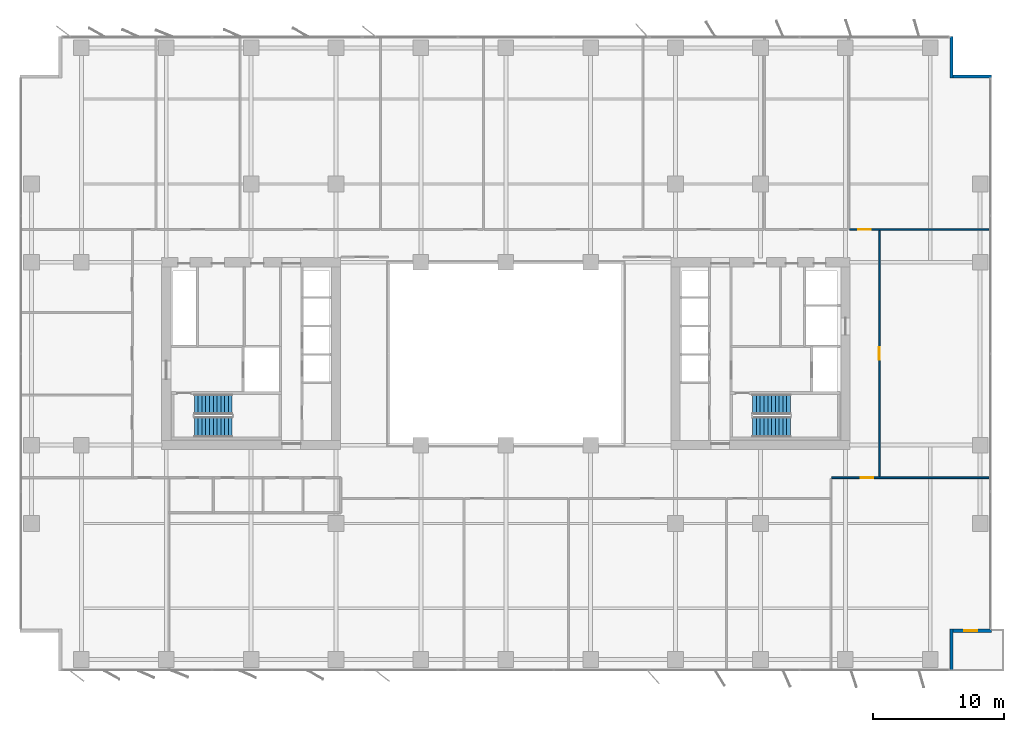
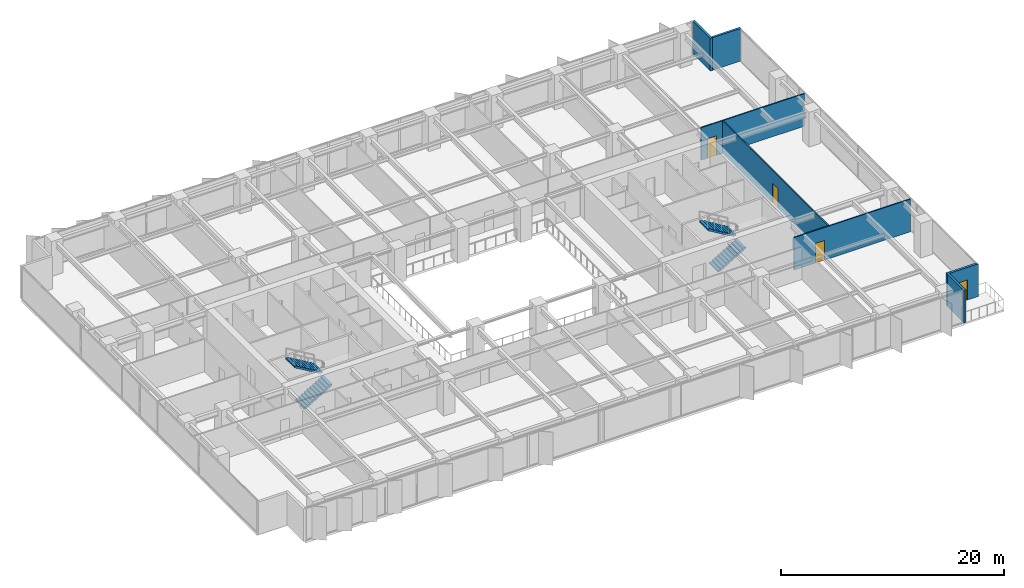
# One storey, part 16 of 20: 7 walls, 4 doors, 4 stair flights, 4 openings, 2 elements without a shape of their own.
"""IFC4 building model written with IfcOpenShell, lengths in metres."""

from ifc_helpers import new_model, si_unit, direction, frame, frame_2d, origin, place, context, subcontext, project, spatial, polyline, rectangle, outline, extrude, material, layer, layer_set, type_object, element, fill, aggregate, save


model = new_model("IFC4")

# Units and contexts
model_context = context("Model", 3, precision=1e-05, world=origin(), true_north=direction((0.0, 1.0)))
body_context = subcontext(model_context, "Body", "Model", "MODEL_VIEW")
ifc_project = project(units=[si_unit("LENGTHUNIT", "METRE"), si_unit("AREAUNIT", "SQUARE_METRE"), si_unit("VOLUMEUNIT", "CUBIC_METRE"), si_unit("PLANEANGLEUNIT", "RADIAN"), si_unit("MASSUNIT", "GRAM", prefix="KILO")], contexts=[model_context])

# Site, building, storey
site_placement = place(None, origin())
site = spatial("IfcSite", under=ifc_project, at=site_placement, CompositionType="ELEMENT")
building_placement = place(site_placement, origin())
building = spatial("IfcBuilding", under=site, at=building_placement, Name="Putna Gate Headquarters", CompositionType="ELEMENT")
storey_placement = place(building_placement, frame((0.0, 0.0, 116.39990234375)))
storey = spatial("IfcBuildingStorey", under=building, at=storey_placement, Name="L28", CompositionType="ELEMENT", Elevation=116.39990234375)

# Walls
ifc_material_1 = material(Name="Precast concrete C40/50", Category="concrete")
ifc_layer_1 = layer(ifc_material_1, 0.239990234375)
ifc_layer_set_1 = layer_set([ifc_layer_1], Name="Precast concrete C40/50")
wall_type_1 = type_object("IfcWallType", Name="WALL-EXT-TERR-240", PredefinedType="STANDARD", material=ifc_layer_set_1)
for number, where, z_axis, x_axis, name in (
    (1, (73.1201171875, 50.300048828125, 0.0), (0.0, 0.0, 1.0), (0.0, -1.0, 0.0), "L28 Corner Notch Return Wall NE-V"),
    (2, (73.0, 47.219970703125, 0.0), (0.0, 0.0, 1.0), (1.0, 0.0, 0.0), "L28 Corner Notch Return Wall NE-H"),
    (3, (73.1201171875, 4.89990234375, 0.0), (0.0, 0.0, 1.0), (0.0, -1.0, 0.0), "L28 Corner Notch Return Wall SE-V"),
):
    element("IfcWall", number, at=place(storey_placement, frame(where, z_axis=z_axis, x_axis=x_axis)), inside=storey, type_object=wall_type_1, Name=name, PredefinedType="STANDARD", context=body_context, shape_type="SweptSolid", body=[
        extrude(rectangle(XDim=3.199951171875, YDim=0.239990234375, at=frame_2d((1.60009765625, 0.0))), origin(), (0.0, 0.0, 1.0), 3.565185546875),
    ])

# Wall, opening, door
wall_1_placement = place(storey_placement, frame((76.199951171875, 4.780029296875, 0.0), z_axis=(0.0, 0.0, 1.0), x_axis=(-1.0, 0.0, 0.0)))
wall_1 = element("IfcWall", 4, at=wall_1_placement, inside=storey, type_object=wall_type_1, Name="L28 Corner Notch Return Wall SE-H", PredefinedType="STANDARD", context=body_context, shape_type="SweptSolid", body=[
    extrude(rectangle(XDim=3.199951171875, YDim=0.239990234375, at=frame_2d((1.60009765625, 0.0))), origin(), (0.0, 0.0, 1.0), 3.565185546875),
])
opening_1_placement = place(wall_1_placement, frame((1.10009765625, 0.0, 0.0)))
opening_1 = element("IfcOpeningElement", 5, at=opening_1_placement, cuts=wall_1, Name="Opening TRD-1", PredefinedType="OPENING", context=body_context, shape_type="SweptSolid", body=[
    extrude(rectangle(XDim=1.0, YDim=2.199951171875, at=frame_2d((0.5, 1.10009765625))), frame((0.0, 0.1298828125, 0.0), z_axis=(0.0, -1.0, 0.0), x_axis=(1.0, 0.0, 0.0)), (0.0, 0.0, 1.0), 0.260009765625),
])
ifc_material_2 = material(Name="Thermally broken bronze glazed terrace door")
door_type_1 = type_object("IfcDoorType", Name="DOOR-TERR-EXT-1000", OperationType="NOTDEFINED", PredefinedType="DOOR", material=ifc_material_2)
door_1_placement = place(opening_1_placement, origin())
door_1 = element("IfcDoor", 6, at=door_1_placement, inside=storey, type_object=door_type_1, Name="L28 Spiral Sky Terrace Door SE", OperationType="SINGLE_SWING_RIGHT", OverallHeight=2.199951171875, OverallWidth=1.0, PredefinedType="DOOR", context=body_context, shape_type="SweptSolid", body=[
    extrude(rectangle(XDim=1.0, YDim=2.199951171875, at=frame_2d((0.5, 1.10009765625))), frame((0.0, 0.02490234375, 0.0), z_axis=(0.0, -1.0, 0.0), x_axis=(1.0, 0.0, 0.0)), (0.0, 0.0, 1.0), 0.050048828125),
])
fill(opening_1, door_1)

ifc_material_3 = material(Name="Fire-rated gypsum board on metal stud")
ifc_layer_2 = layer(ifc_material_3, 0.1201171875)
ifc_layer_set_2 = layer_set([ifc_layer_2], Name="Fire-rated gypsum board on metal stud")
wall_type_2 = type_object("IfcWallType", Name="WALL-PART-120-RATED", PredefinedType="PARTITIONING", material=ifc_layer_set_2)
wall_2_placement = place(storey_placement, frame((65.322021484375, 35.5, 0.0), z_axis=(0.0, 0.0, 1.0), x_axis=(1.0, 0.0, 0.0)))
wall_2 = element("IfcWall", 7, at=wall_2_placement, inside=storey, type_object=wall_type_2, Name="L28 Interior Wall PART-L28-NB-CW-08", PredefinedType="PARTITIONING", context=body_context, shape_type="SweptSolid", body=[
    extrude(rectangle(XDim=10.697998046875, YDim=0.1201171875, at=frame_2d((5.34912109375, 0.0))), origin(), (0.0, 0.0, 1.0), 3.565185546875),
])
opening_2_placement = place(wall_2_placement, frame((0.6640625, 0.0, 0.0)))
opening_2 = element("IfcOpeningElement", 8, at=opening_2_placement, cuts=wall_2, Name="Opening FD-95", PredefinedType="OPENING", context=body_context, shape_type="SweptSolid", body=[
    extrude(rectangle(XDim=0.949951171875, YDim=2.14990234375, at=frame_2d((0.47509765625, 1.074951171875))), frame((0.0, 0.070068359375, 0.0), z_axis=(0.0, -1.0, 0.0), x_axis=(1.0, 0.0, 0.0)), (0.0, 0.0, 1.0), 0.14013671875),
])
ifc_material_4 = material(Name="Acoustic timber fire door", Category="wood")
door_type_2 = type_object("IfcDoorType", Name="DOOR-FIRE-950", OperationType="NOTDEFINED", PredefinedType="DOOR", material=ifc_material_4)
door_2_placement = place(opening_2_placement, origin())
door_2 = element("IfcDoor", 9, at=door_2_placement, inside=storey, type_object=door_type_2, Name="L28 Quiet Wellness Focus Studio 2 Door", OperationType="SINGLE_SWING_RIGHT", OverallHeight=2.14990234375, OverallWidth=0.949951171875, PredefinedType="DOOR", context=body_context, shape_type="SweptSolid", body=[
    extrude(rectangle(XDim=0.949951171875, YDim=2.14990234375, at=frame_2d((0.47509765625, 1.074951171875))), frame((0.0, 0.02490234375, 0.0), z_axis=(0.0, -1.0, 0.0), x_axis=(1.0, 0.0, 0.0)), (0.0, 0.0, 1.0), 0.050048828125),
])
fill(opening_2, door_2)

wall_3_placement = place(storey_placement, frame((63.954833984375, 16.5, 0.0), z_axis=(0.0, 0.0, 1.0), x_axis=(1.0, 0.0, 0.0)))
wall_3 = element("IfcWall", 10, at=wall_3_placement, inside=storey, type_object=wall_type_2, Name="L28 Interior Wall PART-L28-SB-CW-06", PredefinedType="PARTITIONING", context=body_context, shape_type="SweptSolid", body=[
    extrude(rectangle(XDim=12.065185546875, YDim=0.1201171875, at=frame_2d((6.03271484375, 0.0))), origin(), (0.0, 0.0, 1.0), 3.565185546875),
])
opening_3_placement = place(wall_3_placement, frame((2.215087890625, 0.0, 0.0)))
opening_3 = element("IfcOpeningElement", 11, at=opening_3_placement, cuts=wall_3, Name="Opening FD-95", PredefinedType="OPENING", context=body_context, shape_type="SweptSolid", body=[
    extrude(rectangle(XDim=0.949951171875, YDim=2.14990234375, at=frame_2d((0.47509765625, 1.074951171875))), frame((0.0, 0.070068359375, 0.0), z_axis=(0.0, -1.0, 0.0), x_axis=(1.0, 0.0, 0.0)), (0.0, 0.0, 1.0), 0.14013671875),
])
door_3_placement = place(opening_3_placement, origin())
door_3 = element("IfcDoor", 12, at=door_3_placement, inside=storey, type_object=door_type_2, Name="L28 Cellular Office 2 Door", OperationType="SINGLE_SWING_RIGHT", OverallHeight=2.14990234375, OverallWidth=0.949951171875, PredefinedType="DOOR", context=body_context, shape_type="SweptSolid", body=[
    extrude(rectangle(XDim=0.949951171875, YDim=2.14990234375, at=frame_2d((0.47509765625, 1.074951171875))), frame((0.0, 0.02490234375, 0.0), z_axis=(0.0, -1.0, 0.0), x_axis=(1.0, 0.0, 0.0)), (0.0, 0.0, 1.0), 0.050048828125),
])
fill(opening_3, door_3)

wall_4_placement = place(storey_placement, frame((67.60009765625, 16.5, 0.0), z_axis=(0.0, 0.0, 1.0), x_axis=(0.0, 1.0, 0.0)))
wall_4 = element("IfcWall", 13, at=wall_4_placement, inside=storey, type_object=wall_type_2, Name="L28 Interior Wall PART-L28-EW-CW-1", PredefinedType="PARTITIONING", context=body_context, shape_type="SweptSolid", body=[
    extrude(rectangle(XDim=19.0, YDim=0.1201171875, at=frame_2d((9.5, 0.0))), origin(), (0.0, 0.0, 1.0), 3.565185546875),
])
opening_4_placement = place(wall_4_placement, frame((9.02490234375, 0.0, 0.0)))
opening_4 = element("IfcOpeningElement", 14, at=opening_4_placement, cuts=wall_4, Name="Opening FD-95", PredefinedType="OPENING", context=body_context, shape_type="SweptSolid", body=[
    extrude(rectangle(XDim=0.949951171875, YDim=2.14990234375, at=frame_2d((0.47509765625, 1.074951171875))), frame((0.0, 0.070068359375, 0.0), z_axis=(0.0, -1.0, 0.0), x_axis=(1.0, 0.0, 0.0)), (0.0, 0.0, 1.0), 0.14013671875),
])
door_4_placement = place(opening_4_placement, origin())
door_4 = element("IfcDoor", 15, at=door_4_placement, inside=storey, type_object=door_type_2, Name="L28 East Horizon Conference Room 1 Door", OperationType="SINGLE_SWING_RIGHT", OverallHeight=2.14990234375, OverallWidth=0.949951171875, PredefinedType="DOOR", context=body_context, shape_type="SweptSolid", body=[
    extrude(rectangle(XDim=0.949951171875, YDim=2.14990234375, at=frame_2d((0.47509765625, 1.074951171875))), frame((0.0, 0.02490234375, 0.0), z_axis=(0.0, -1.0, 0.0), x_axis=(1.0, 0.0, 0.0)), (0.0, 0.0, 1.0), 0.050048828125),
])
fill(opening_4, door_4)

# Stair, stair flights
ifc_material_5 = material(Name="Concrete C40/50", Category="concrete")
stair_type_1 = type_object("IfcStairType", Name="STAIR-ST1", PredefinedType="HALF_TURN_STAIR", material=ifc_material_5)
stair_1_placement = place(storey_placement, origin())
stair_1 = element("IfcStair", 16, at=stair_1_placement, inside=storey, type_object=stair_type_1, Name="L28 West Core Exit Stair ST1", PredefinedType="HALF_TURN_STAIR")
stair_flight_type_1 = type_object("IfcStairFlightType", Name="FLIGHT-ST1", PredefinedType="STRAIGHT", material=ifc_material_5)
stair_flight_1_placement = place(storey_placement, frame((15.14990234375, 20.375, 0.0), z_axis=(0.0, 0.0, 1.0), x_axis=(1.0, 0.0, 0.0)))
stair_flight_1 = element("IfcStairFlight", 17, at=stair_flight_1_placement, type_object=stair_flight_type_1, Name="ST1 flight 1", NumberOfRisers=11, NumberOfTreads=10, PredefinedType="STRAIGHT", RiserHeight=0.172727273, TreadLength=0.29, context=body_context, shape_type="SweptSolid", body=[
    extrude(outline(polyline([(0.0, 0.0), (0.0, 0.172607421875), (0.2900390625, 0.172607421875), (0.2900390625, 0.345458984375), (0.580078125, 0.345458984375), (0.580078125, 0.51806640625), (0.8701171875, 0.51806640625), (0.8701171875, 0.69091796875), (1.159912109375, 0.69091796875), (1.159912109375, 0.863525390625), (1.449951171875, 0.863525390625), (1.449951171875, 1.036376953125), (1.739990234375, 1.036376953125), (1.739990234375, 1.208984375), (2.030029296875, 1.208984375), (2.030029296875, 1.3818359375), (2.320068359375, 1.3818359375), (2.320068359375, 1.554443359375), (2.610107421875, 1.554443359375), (2.610107421875, 1.727294921875), (2.89990234375, 1.727294921875), (2.89990234375, 1.89990234375), (2.89990234375, 1.552734375), (0.29296875, 0.0), (0.0, 0.0)])), frame((0.0, 0.77490234375, 0.0), z_axis=(0.0, -1.0, 0.0), x_axis=(1.0, 0.0, 0.0)), (0.0, 0.0, 1.0), 1.550048828125),
])
stair_flight_2_placement = place(storey_placement, frame((18.050048828125, 22.125, 1.900146484375), z_axis=(0.0, 0.0, 1.0), x_axis=(-1.0, 0.0, 0.0)))
stair_flight_2 = element("IfcStairFlight", 18, at=stair_flight_2_placement, type_object=stair_flight_type_1, Name="ST1 flight 2", NumberOfRisers=11, NumberOfTreads=10, PredefinedType="STRAIGHT", RiserHeight=0.172727273, TreadLength=0.29, context=body_context, shape_type="SweptSolid", body=[
    extrude(outline(polyline([(0.0, 0.0), (0.0, 0.172607421875), (0.2900390625, 0.172607421875), (0.2900390625, 0.345458984375), (0.580078125, 0.345458984375), (0.580078125, 0.51806640625), (0.8701171875, 0.51806640625), (0.8701171875, 0.69091796875), (1.159912109375, 0.69091796875), (1.159912109375, 0.863525390625), (1.449951171875, 0.863525390625), (1.449951171875, 1.036376953125), (1.739990234375, 1.036376953125), (1.739990234375, 1.208984375), (2.030029296875, 1.208984375), (2.030029296875, 1.3818359375), (2.320068359375, 1.3818359375), (2.320068359375, 1.554443359375), (2.610107421875, 1.554443359375), (2.610107421875, 1.727294921875), (2.89990234375, 1.727294921875), (2.89990234375, 1.89990234375), (2.89990234375, 1.552734375), (0.29296875, 0.0), (0.0, 0.0)])), frame((0.0, 0.77490234375, 0.0), z_axis=(0.0, -1.0, 0.0), x_axis=(1.0, 0.0, 0.0)), (0.0, 0.0, 1.0), 1.550048828125),
])
aggregate(stair_1, [stair_flight_1, stair_flight_2])

stair_type_2 = type_object("IfcStairType", Name="STAIR-ST2", PredefinedType="HALF_TURN_STAIR", material=ifc_material_5)
stair_2_placement = place(storey_placement, origin())
stair_2 = element("IfcStair", 19, at=stair_2_placement, inside=storey, type_object=stair_type_2, Name="L28 East Core Exit Stair ST2", PredefinedType="HALF_TURN_STAIR")
stair_flight_type_2 = type_object("IfcStairFlightType", Name="FLIGHT-ST2", PredefinedType="STRAIGHT", material=ifc_material_5)
stair_flight_3_placement = place(storey_placement, frame((57.89990234375, 20.375, 0.0), z_axis=(0.0, 0.0, 1.0), x_axis=(1.0, 0.0, 0.0)))
stair_flight_3 = element("IfcStairFlight", 20, at=stair_flight_3_placement, type_object=stair_flight_type_2, Name="ST2 flight 1", NumberOfRisers=11, NumberOfTreads=10, PredefinedType="STRAIGHT", RiserHeight=0.172727273, TreadLength=0.29, context=body_context, shape_type="SweptSolid", body=[
    extrude(outline(polyline([(0.0, 0.0), (0.0, 0.172607421875), (0.2900390625, 0.172607421875), (0.2900390625, 0.345458984375), (0.580078125, 0.345458984375), (0.580078125, 0.51806640625), (0.8701171875, 0.51806640625), (0.8701171875, 0.69091796875), (1.159912109375, 0.69091796875), (1.159912109375, 0.863525390625), (1.449951171875, 0.863525390625), (1.449951171875, 1.036376953125), (1.739990234375, 1.036376953125), (1.739990234375, 1.208984375), (2.030029296875, 1.208984375), (2.030029296875, 1.3818359375), (2.320068359375, 1.3818359375), (2.320068359375, 1.554443359375), (2.610107421875, 1.554443359375), (2.610107421875, 1.727294921875), (2.89990234375, 1.727294921875), (2.89990234375, 1.89990234375), (2.89990234375, 1.552734375), (0.29296875, 0.0), (0.0, 0.0)])), frame((0.0, 0.77490234375, 0.0), z_axis=(0.0, -1.0, 0.0), x_axis=(1.0, 0.0, 0.0)), (0.0, 0.0, 1.0), 1.550048828125),
])
stair_flight_4_placement = place(storey_placement, frame((60.800048828125, 22.125, 1.900146484375), z_axis=(0.0, 0.0, 1.0), x_axis=(-1.0, 0.0, 0.0)))
stair_flight_4 = element("IfcStairFlight", 21, at=stair_flight_4_placement, type_object=stair_flight_type_2, Name="ST2 flight 2", NumberOfRisers=11, NumberOfTreads=10, PredefinedType="STRAIGHT", RiserHeight=0.172727273, TreadLength=0.29, context=body_context, shape_type="SweptSolid", body=[
    extrude(outline(polyline([(0.0, 0.0), (0.0, 0.172607421875), (0.2900390625, 0.172607421875), (0.2900390625, 0.345458984375), (0.580078125, 0.345458984375), (0.580078125, 0.51806640625), (0.8701171875, 0.51806640625), (0.8701171875, 0.69091796875), (1.159912109375, 0.69091796875), (1.159912109375, 0.863525390625), (1.449951171875, 0.863525390625), (1.449951171875, 1.036376953125), (1.739990234375, 1.036376953125), (1.739990234375, 1.208984375), (2.030029296875, 1.208984375), (2.030029296875, 1.3818359375), (2.320068359375, 1.3818359375), (2.320068359375, 1.554443359375), (2.610107421875, 1.554443359375), (2.610107421875, 1.727294921875), (2.89990234375, 1.727294921875), (2.89990234375, 1.89990234375), (2.89990234375, 1.552734375), (0.29296875, 0.0), (0.0, 0.0)])), frame((0.0, 0.77490234375, 0.0), z_axis=(0.0, -1.0, 0.0), x_axis=(1.0, 0.0, 0.0)), (0.0, 0.0, 1.0), 1.550048828125),
])
aggregate(stair_2, [stair_flight_3, stair_flight_4])

save(model, "model.ifc")
